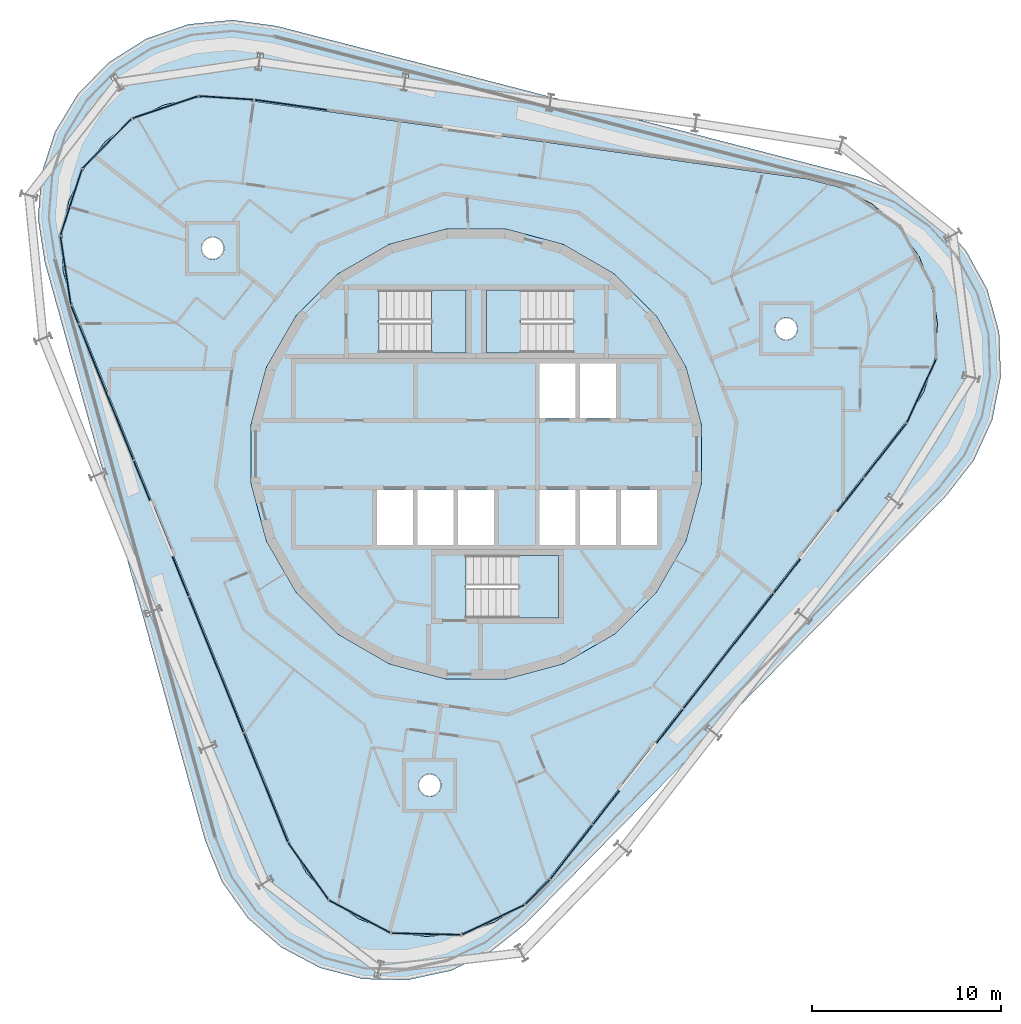
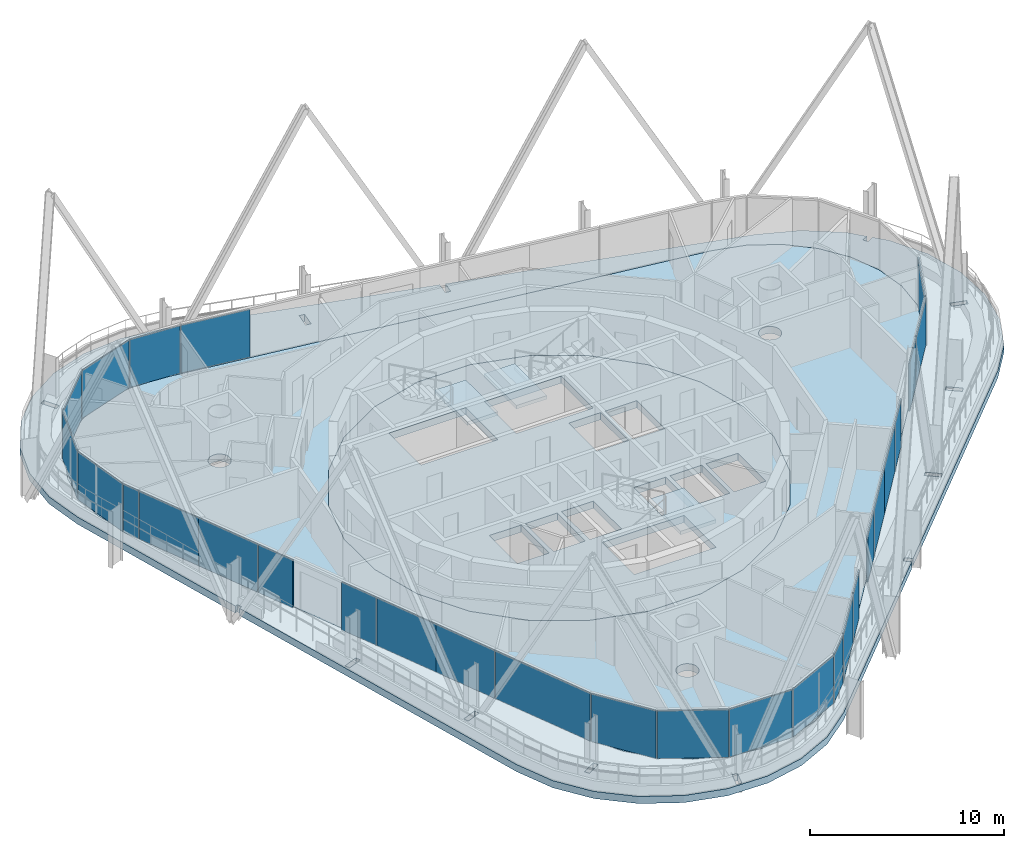
# One storey, part 8 of 17: 28 plates, 6 slabs, 9 elements without a shape of their own.
"""IFC4 building model written with IfcOpenShell, lengths in metres."""

from ifc_helpers import new_model, si_unit, direction, frame, origin, origin_2d, place, context, subcontext, project, spatial, polyline, rectangle, outline, extrude, material, layer, layer_set, type_object, element, aggregate, save


model = new_model("IFC4")

# Units and contexts
model_context = context("Model", 3, precision=1e-05, world=origin(), true_north=direction((0.0, 1.0)))
body_context = subcontext(model_context, "Body", "Model", "MODEL_VIEW")
ifc_project = project(units=[si_unit("LENGTHUNIT", "METRE"), si_unit("AREAUNIT", "SQUARE_METRE"), si_unit("VOLUMEUNIT", "CUBIC_METRE"), si_unit("PLANEANGLEUNIT", "RADIAN"), si_unit("MASSUNIT", "GRAM", prefix="KILO")], contexts=[model_context])

# Site, building, storey
site_placement = place(None, origin())
site = spatial("IfcSite", under=ifc_project, at=site_placement, CompositionType="ELEMENT")
building_placement = place(site_placement, origin())
building = spatial("IfcBuilding", under=site, at=building_placement, Name="Spindle Arch Residences", CompositionType="ELEMENT")
storey_placement = place(building_placement, frame((0.0, 0.0, 333.0)))
storey = spatial("IfcBuildingStorey", under=building, at=storey_placement, Name="L85", CompositionType="ELEMENT", Elevation=333.0)

# Slabs
ifc_material_1 = material(Name="Concrete C40/50", Category="concrete")
ifc_layer_1 = layer(ifc_material_1, 0.449951171875)
ifc_layer_set_1 = layer_set([ifc_layer_1], Name="Compartment floor slab 450")
slab_type_1 = type_object("IfcSlabType", Name="Compartment floor slab 450", PredefinedType="FLOOR", material=ifc_layer_set_1)
slab_1_placement = place(storey_placement, frame((0.0, 0.0, -0.449951171875)))
element("IfcSlab", 1, at=slab_1_placement, inside=storey, type_object=slab_type_1, Name="Floor slab L85", PredefinedType="FLOOR", context=body_context, shape_type="SweptSolid", body=[
    extrude(outline(polyline([(2.5380859375, -23.751220703125), (0.962890625, -24.735595703125), (-0.796875, -25.330078125), (-2.646240234375, -25.502685546875), (-4.485595703125, -25.244140625), (-6.2158203125, -24.568359375), (-7.74365234375, -23.511962890625), (-8.986572265625, -22.131591796875), (-9.877685546875, -20.501708984375), (-21.346923828125, 7.885986328125), (-21.838134765625, 9.677490234375), (-21.903076171875, 11.53369140625), (-21.5380859375, 13.35498046875), (-20.7626953125, 15.043212890625), (-19.619140625, 16.5068359375), (-18.1689453125, 17.667236328125), (-16.489990234375, 18.462158203125), (-14.673095703125, 18.848388671875), (-12.816162109375, 18.80517578125), (17.503173828125, 14.5439453125), (19.300048828125, 14.07373046875), (20.940185546875, 13.20166015625), (22.334716796875, 11.974853515625), (23.4091796875, 10.459716796875), (24.10498046875, 8.7373046875), (24.384765625, 6.901123046875), (24.233642578125, 5.0498046875), (23.65966796875, 3.283203125), (22.69384765625, 1.696533203125), (13.268798828125, -10.36669921875), (3.843994140625, -22.43017578125), (2.5380859375, -23.751220703125)]), holes=[polyline([(7.30517578125, -9.520263671875), (9.520263671875, -7.30517578125), (11.086669921875, -4.59228515625), (11.897216796875, -1.56640625), (11.897216796875, 1.56640625), (11.086669921875, 4.59228515625), (9.520263671875, 7.30517578125), (7.30517578125, 9.520263671875), (4.59228515625, 11.086669921875), (1.56640625, 11.897216796875), (-1.56640625, 11.897216796875), (-4.59228515625, 11.086669921875), (-7.30517578125, 9.520263671875), (-9.520263671875, 7.30517578125), (-11.086669921875, 4.59228515625), (-11.897216796875, 1.56640625), (-11.897216796875, -1.56640625), (-11.086669921875, -4.59228515625), (-9.520263671875, -7.30517578125), (-7.30517578125, -9.520263671875), (-4.59228515625, -11.086669921875), (-1.56640625, -11.897216796875), (1.56640625, -11.897216796875), (4.59228515625, -11.086669921875), (7.30517578125, -9.520263671875)]), polyline([(-1.961181640625, -17.838134765625), (-1.90576171875, -17.734375), (-1.87158203125, -17.621826171875), (-1.860107421875, -17.5048828125), (-1.87158203125, -17.3876953125), (-1.90576171875, -17.275146484375), (-1.961181640625, -17.17138671875), (-2.035888671875, -17.08056640625), (-2.126708984375, -17.005859375), (-2.23046875, -16.950439453125), (-2.343017578125, -16.916259765625), (-2.460205078125, -16.90478515625), (-2.5771484375, -16.916259765625), (-2.689697265625, -16.950439453125), (-2.79345703125, -17.005859375), (-2.884521484375, -17.08056640625), (-2.958984375, -17.17138671875), (-3.014404296875, -17.275146484375), (-3.048583984375, -17.3876953125), (-3.06005859375, -17.5048828125), (-3.048583984375, -17.621826171875), (-3.014404296875, -17.734375), (-2.958984375, -17.838134765625), (-2.884521484375, -17.92919921875), (-2.79345703125, -18.003662109375), (-2.689697265625, -18.05908203125), (-2.5771484375, -18.09326171875), (-2.460205078125, -18.104736328125), (-2.343017578125, -18.09326171875), (-2.23046875, -18.05908203125), (-2.126708984375, -18.003662109375), (-2.035888671875, -17.92919921875), (-1.961181640625, -17.838134765625)]), polyline([(-13.505126953125, 10.458740234375), (-13.4306640625, 10.5498046875), (-13.375244140625, 10.6533203125), (-13.341064453125, 10.765869140625), (-13.32958984375, 10.883056640625), (-13.341064453125, 11.0), (-13.375244140625, 11.112548828125), (-13.4306640625, 11.21630859375), (-13.505126953125, 11.307373046875), (-13.59619140625, 11.3818359375), (-13.699951171875, 11.437255859375), (-13.8125, 11.471435546875), (-13.929443359375, 11.48291015625), (-14.046630859375, 11.471435546875), (-14.1591796875, 11.437255859375), (-14.2626953125, 11.3818359375), (-14.353759765625, 11.307373046875), (-14.428466796875, 11.21630859375), (-14.48388671875, 11.112548828125), (-14.51806640625, 11.0), (-14.529541015625, 10.883056640625), (-14.51806640625, 10.765869140625), (-14.48388671875, 10.6533203125), (-14.428466796875, 10.5498046875), (-14.353759765625, 10.458740234375), (-14.2626953125, 10.384033203125), (-14.1591796875, 10.32861328125), (-14.046630859375, 10.29443359375), (-13.929443359375, 10.282958984375), (-13.8125, 10.29443359375), (-13.699951171875, 10.32861328125), (-13.59619140625, 10.384033203125), (-13.505126953125, 10.458740234375)]), polyline([(16.81396484375, 6.197509765625), (16.888671875, 6.28857421875), (16.944091796875, 6.392333984375), (16.978271484375, 6.5048828125), (16.98974609375, 6.621826171875), (16.978271484375, 6.739013671875), (16.944091796875, 6.8515625), (16.888671875, 6.955078125), (16.81396484375, 7.046142578125), (16.722900390625, 7.120849609375), (16.619384765625, 7.17626953125), (16.5068359375, 7.21044921875), (16.3896484375, 7.221923828125), (16.272705078125, 7.21044921875), (16.16015625, 7.17626953125), (16.056396484375, 7.120849609375), (15.96533203125, 7.046142578125), (15.890869140625, 6.955078125), (15.83544921875, 6.8515625), (15.80126953125, 6.739013671875), (15.789794921875, 6.621826171875), (15.80126953125, 6.5048828125), (15.83544921875, 6.392333984375), (15.890869140625, 6.28857421875), (15.96533203125, 6.197509765625), (16.056396484375, 6.123046875), (16.16015625, 6.067626953125), (16.272705078125, 6.033447265625), (16.3896484375, 6.02197265625), (16.5068359375, 6.033447265625), (16.619384765625, 6.067626953125), (16.722900390625, 6.123046875), (16.81396484375, 6.197509765625)])]), origin(), (0.0, 0.0, 1.0), 0.449951171875),
])
ifc_material_2 = material(Name="Concrete C50/60", Category="concrete")
ifc_layer_2 = layer(ifc_material_2, 0.449951171875)
ifc_layer_set_2 = layer_set([ifc_layer_2], Name="Core floor slab 450")
slab_type_2 = type_object("IfcSlabType", Name="Core floor slab 450", PredefinedType="FLOOR", material=ifc_layer_set_2)
slab_2_placement = place(storey_placement, frame((0.0, 0.0, -0.449951171875)))
element("IfcSlab", 2, at=slab_2_placement, inside=storey, type_object=slab_type_2, Name="Core floor L85", PredefinedType="FLOOR", context=body_context, shape_type="SweptSolid", body=[
    extrude(outline(polyline([(1.56640625, -11.897216796875), (4.59228515625, -11.086669921875), (7.30517578125, -9.520263671875), (9.520263671875, -7.30517578125), (11.086669921875, -4.59228515625), (11.897216796875, -1.56640625), (11.897216796875, 1.56640625), (11.086669921875, 4.59228515625), (9.520263671875, 7.30517578125), (7.30517578125, 9.520263671875), (4.59228515625, 11.086669921875), (1.56640625, 11.897216796875), (-1.56640625, 11.897216796875), (-4.59228515625, 11.086669921875), (-7.30517578125, 9.520263671875), (-9.520263671875, 7.30517578125), (-11.086669921875, 4.59228515625), (-11.897216796875, 1.56640625), (-11.897216796875, -1.56640625), (-11.086669921875, -4.59228515625), (-9.520263671875, -7.30517578125), (-7.30517578125, -9.520263671875), (-4.59228515625, -11.086669921875), (-1.56640625, -11.897216796875), (1.56640625, -11.897216796875)]), holes=[polyline([(3.35009765625, 1.89990234375), (5.25, 1.89990234375), (5.25, 4.800048828125), (3.35009765625, 4.800048828125), (3.35009765625, 1.89990234375)]), polyline([(5.5, 1.89990234375), (7.39990234375, 1.89990234375), (7.39990234375, 4.800048828125), (5.5, 4.800048828125), (5.5, 1.89990234375)]), polyline([(-5.25, -4.800048828125), (-3.35009765625, -4.800048828125), (-3.35009765625, -1.89990234375), (-5.25, -1.89990234375), (-5.25, -4.800048828125)]), polyline([(-3.10009765625, -4.800048828125), (-1.199951171875, -4.800048828125), (-1.199951171875, -1.89990234375), (-3.10009765625, -1.89990234375), (-3.10009765625, -4.800048828125)]), polyline([(-0.949951171875, -4.800048828125), (0.949951171875, -4.800048828125), (0.949951171875, -1.89990234375), (-0.949951171875, -1.89990234375), (-0.949951171875, -4.800048828125)]), polyline([(3.35009765625, -4.800048828125), (5.25, -4.800048828125), (5.25, -1.89990234375), (3.35009765625, -1.89990234375), (3.35009765625, -4.800048828125)]), polyline([(5.5, -4.800048828125), (7.39990234375, -4.800048828125), (7.39990234375, -1.89990234375), (5.5, -1.89990234375), (5.5, -4.800048828125)]), polyline([(7.64990234375, -4.800048828125), (9.550048828125, -4.800048828125), (9.550048828125, -1.89990234375), (7.64990234375, -1.89990234375), (7.64990234375, -4.800048828125)]), polyline([(5.1298828125, 8.669921875), (0.550048828125, 8.669921875), (0.550048828125, 5.35009765625), (5.1298828125, 5.35009765625), (5.1298828125, 8.669921875)]), polyline([(-5.1298828125, 5.35009765625), (-0.550048828125, 5.35009765625), (-0.550048828125, 8.669921875), (-5.1298828125, 8.669921875), (-5.1298828125, 5.35009765625)]), polyline([(-0.530029296875, -8.669921875), (4.35009765625, -8.669921875), (4.35009765625, -5.35009765625), (-0.530029296875, -5.35009765625), (-0.530029296875, -8.669921875)])]), origin(), (0.0, 0.0, 1.0), 0.449951171875),
])

# Stair, slab
ifc_material_3 = material(Name="Concrete C50/60", Category="concrete")
stair_type = type_object("IfcStairType", Name="Exit stair 16 risers", PredefinedType="HALF_TURN_STAIR", material=ifc_material_3)
stair_1_placement = place(storey_placement, origin())
stair_1 = element("IfcStair", 3, at=stair_1_placement, inside=storey, type_object=stair_type, Name="L85 Exit stair ST1", PredefinedType="HALF_TURN_STAIR")
ifc_material_4 = material(Name="Concrete C50/60", Category="concrete")
ifc_layer_3 = layer(ifc_material_4, 0.219970703125)
ifc_layer_set_3 = layer_set([ifc_layer_3], Name="Exit stair landing 220")
slab_type_3 = type_object("IfcSlabType", Name="Exit stair landing 220", PredefinedType="LANDING", material=ifc_layer_set_3)
slab_3_placement = place(storey_placement, frame((0.0, 0.0, 1.530029296875)))
slab_3 = element("IfcSlab", 4, at=slab_3_placement, type_object=slab_type_3, Name="ST1 landing 1", PredefinedType="LANDING", context=body_context, shape_type="SweptSolid", body=[
    extrude(outline(polyline([(2.3701171875, 8.669921875), (0.550048828125, 8.669921875), (0.550048828125, 5.35009765625), (2.3701171875, 5.35009765625), (2.3701171875, 8.669921875)])), origin(), (0.0, 0.0, 1.0), 0.219970703125),
])
aggregate(stair_1, [slab_3])

stair_2_placement = place(storey_placement, origin())
stair_2 = element("IfcStair", 5, at=stair_2_placement, inside=storey, type_object=stair_type, Name="L85 Exit stair ST2", PredefinedType="HALF_TURN_STAIR")
slab_4_placement = place(storey_placement, frame((0.0, 0.0, 1.530029296875)))
slab_4 = element("IfcSlab", 6, at=slab_4_placement, type_object=slab_type_3, Name="ST2 landing 1", PredefinedType="LANDING", context=body_context, shape_type="SweptSolid", body=[
    extrude(outline(polyline([(-2.3701171875, 5.35009765625), (-0.550048828125, 5.35009765625), (-0.550048828125, 8.669921875), (-2.3701171875, 8.669921875), (-2.3701171875, 5.35009765625)])), origin(), (0.0, 0.0, 1.0), 0.219970703125),
])
aggregate(stair_2, [slab_4])

stair_3_placement = place(storey_placement, origin())
stair_3 = element("IfcStair", 7, at=stair_3_placement, inside=storey, type_object=stair_type, Name="L85 Exit stair ST3", PredefinedType="HALF_TURN_STAIR")
slab_5_placement = place(storey_placement, frame((0.0, 0.0, 1.530029296875)))
slab_5 = element("IfcSlab", 8, at=slab_5_placement, type_object=slab_type_3, Name="ST3 landing 1", PredefinedType="LANDING", context=body_context, shape_type="SweptSolid", body=[
    extrude(outline(polyline([(2.22998046875, -8.669921875), (4.35009765625, -8.669921875), (4.35009765625, -5.35009765625), (2.22998046875, -5.35009765625), (2.22998046875, -8.669921875)])), origin(), (0.0, 0.0, 1.0), 0.219970703125),
])
aggregate(stair_3, [slab_5])

# Slab
ifc_material_5 = material(Name="Concrete C40/50", Category="concrete")
ifc_layer_4 = layer(ifc_material_5, 0.449951171875)
ifc_layer_set_4 = layer_set([ifc_layer_4], Name="Terrace slab 450")
slab_type_4 = type_object("IfcSlabType", Name="Terrace slab 450", PredefinedType="FLOOR", material=ifc_layer_set_4)
slab_6_placement = place(storey_placement, frame((0.0, 0.0, -0.449951171875)))
element("IfcSlab", 9, at=slab_6_placement, inside=storey, type_object=slab_type_4, Name="Terrace slab L84", PredefinedType="FLOOR", context=body_context, shape_type="SweptSolid", body=[
    extrude(outline(polyline([(0.787841796875, -26.295166015625), (-1.328857421875, -27.3046875), (-3.62109375, -27.798828125), (-5.9658203125, -27.751220703125), (-8.236083984375, -27.1640625), (-10.31005859375, -26.069091796875), (-12.0751953125, -24.525390625), (-13.43701171875, -22.6162109375), (-14.322021484375, -20.444580078125), (-19.677490234375, -1.132568359375), (-19.51025390625, -1.06494140625), (-19.62255859375, -0.78662109375), (-19.75830078125, -0.841552734375), (-22.805908203125, 10.14794921875), (-23.166015625, 12.46533203125), (-22.982177734375, 14.802978515625), (-22.263916015625, 17.035400390625), (-21.05029296875, 19.0419921875), (-19.406494140625, 20.71484375), (-17.42138671875, 21.96337890625), (-15.201904296875, 22.72021484375), (-12.86767578125, 22.945068359375), (-10.54443359375, 22.62548828125), (3.8134765625, 18.912109375), (3.706298828125, 18.1494140625), (4.00341796875, 18.107421875), (4.105712890625, 18.836669921875), (20.19140625, 14.676513671875), (22.37841796875, 13.829833984375), (24.31103515625, 12.50146484375), (25.06396484375, 11.670166015625), (24.72802734375, 11.481201171875), (24.875, 11.2197265625), (25.2705078125, 11.442138671875), (25.88525390625, 10.763427734375), (27.01611328125, 8.708984375), (27.642822265625, 6.44921875), (27.7314453125, 4.105712890625), (27.27734375, 1.80517578125), (26.3046875, -0.328857421875), (24.866455078125, -2.180908203125), (13.740478515625, -13.502685546875), (12.645751953125, -14.61669921875), (12.27099609375, -14.32421875), (12.086181640625, -14.560546875), (12.43408203125, -14.832275390625), (2.614501953125, -24.82470703125), (0.787841796875, -26.295166015625)]), holes=[polyline([(23.65966796875, 3.283203125), (24.233642578125, 5.0498046875), (24.384765625, 6.901123046875), (24.10498046875, 8.7373046875), (23.4091796875, 10.459716796875), (22.334716796875, 11.974853515625), (20.940185546875, 13.20166015625), (19.300048828125, 14.07373046875), (17.503173828125, 14.5439453125), (-12.816162109375, 18.80517578125), (-14.673095703125, 18.848388671875), (-16.489990234375, 18.462158203125), (-18.1689453125, 17.667236328125), (-19.619140625, 16.5068359375), (-20.7626953125, 15.043212890625), (-21.5380859375, 13.35498046875), (-21.903076171875, 11.53369140625), (-21.838134765625, 9.677490234375), (-21.346923828125, 7.885986328125), (-9.877685546875, -20.501708984375), (-8.986572265625, -22.131591796875), (-7.74365234375, -23.511962890625), (-6.2158203125, -24.568359375), (-4.485595703125, -25.244140625), (-2.646240234375, -25.502685546875), (-0.796875, -25.330078125), (0.962890625, -24.735595703125), (2.5380859375, -23.751220703125), (3.843994140625, -22.43017578125), (13.268798828125, -10.36669921875), (22.69384765625, 1.696533203125), (23.65966796875, 3.283203125)]), polyline([(-5.39599609375, -27.63916015625), (-5.106689453125, -27.718505859375), (-4.86865234375, -26.8505859375), (-5.157958984375, -26.771240234375), (-5.39599609375, -27.63916015625)]), polyline([(-11.616943359375, -22.746826171875), (-11.464111328125, -23.005126953125), (-10.689453125, -22.546875), (-10.84228515625, -22.288818359375), (-11.616943359375, -22.746826171875)]), polyline([(-14.638916015625, -15.524169921875), (-14.526611328125, -15.80224609375), (-13.692138671875, -15.465087890625), (-13.804443359375, -15.18701171875), (-14.638916015625, -15.524169921875)]), polyline([(-16.713623046875, -7.98681640625), (-17.548095703125, -8.323974609375), (-17.435546875, -8.602294921875), (-16.601318359375, -8.264892578125), (-16.713623046875, -7.98681640625)]), polyline([(-19.0703125, 20.096923828125), (-19.330322265625, 19.947021484375), (-18.880615234375, 19.167236328125), (-18.62060546875, 19.317138671875), (-19.0703125, 20.096923828125)]), polyline([(-3.686767578125, 19.188232421875), (-3.561279296875, 20.079345703125), (-3.8583984375, 20.12109375), (-3.98388671875, 19.22998046875), (-3.686767578125, 19.188232421875)]), polyline([(-11.376708984375, 20.26904296875), (-11.25146484375, 21.16015625), (-11.548583984375, 21.201904296875), (-11.673828125, 20.310791015625), (-11.376708984375, 20.26904296875)]), polyline([(16.8671875, -8.441162109375), (17.576416015625, -8.9951171875), (17.76123046875, -8.7587890625), (17.052001953125, -8.204833984375), (16.8671875, -8.441162109375)]), polyline([(21.648193359375, -2.32177734375), (22.357421875, -2.875732421875), (22.5419921875, -2.639404296875), (21.832763671875, -2.08544921875), (21.648193359375, -2.32177734375)]), polyline([(26.555908203125, 3.797607421875), (26.6318359375, 4.087890625), (25.761474609375, 4.31640625), (25.685302734375, 4.0263671875), (26.555908203125, 3.797607421875)])]), origin(), (0.0, 0.0, 1.0), 0.449951171875),
])

# Curtain wall, plates
ifc_material_6 = material(Name="Aluminium bronze unitised frame with tinted glass", Category="aluminium")
ifc_layer_5 = layer(ifc_material_6, 0.159912109375)
ifc_layer_set_5 = layer_set([ifc_layer_5], Name="CW-D corner wall on the fillet arcs")
curtain_wall_type_1 = type_object("IfcCurtainWallType", Name="CW-D corner wall on the fillet arcs", PredefinedType="NOTDEFINED", material=ifc_layer_set_5)
curtain_wall_1_placement = place(storey_placement, origin())
curtain_wall_1 = element("IfcCurtainWall", 10, at=curtain_wall_1_placement, inside=storey, type_object=curtain_wall_type_1, Name="CW-D L85 run 1", PredefinedType="NOTDEFINED")
ifc_material_7 = material(Name="Tinted double glazing over aluminium faced non-combustible spandrel zone (K0)", Category="aluminium")
ifc_layer_6 = layer(ifc_material_7, 0.06005859375)
ifc_layer_set_6 = layer_set([ifc_layer_6], Name="Unitised glass panel with E 60 spandrel zone")
plate_type = type_object("IfcPlateType", Name="Unitised glass panel with E 60 spandrel zone", PredefinedType="CURTAIN_PANEL", material=ifc_layer_set_6)
plate_1_placement = place(storey_placement, frame((21.630126953125, 0.205078125, -0.4501953125), z_axis=(0.0, 0.0, 1.0), x_axis=(0.615661475326, 0.788010753607, 0.0)))
plate_1 = element("IfcPlate", 11, at=plate_1_placement, type_object=plate_type, Name="CW-D unit 00", PredefinedType="CURTAIN_PANEL", context=body_context, shape_type="SweptSolid", body=[
    extrude(rectangle(XDim=3.60009765625, YDim=0.06005859375, at=origin_2d()), origin(), (0.0, 0.0, 1.0), 3.449951171875),
])
plate_2_placement = place(storey_placement, frame((23.534423828125, 3.340576171875, -0.4501953125), z_axis=(0.0, 0.0, 1.0), x_axis=(0.417338452362, 0.908751129947, 0.0)))
plate_2 = element("IfcPlate", 12, at=plate_2_placement, type_object=plate_type, Name="CW-D unit 01", PredefinedType="CURTAIN_PANEL", context=body_context, shape_type="SweptSolid", body=[
    extrude(rectangle(XDim=3.666748046875, YDim=0.06005859375, at=origin_2d()), origin(), (0.0, 0.0, 1.0), 3.449951171875),
])
aggregate(curtain_wall_1, [plate_1, plate_2])

# Curtain wall, plate
ifc_material_8 = material(Name="Aluminium bronze unitised frame with tinted glass", Category="aluminium")
ifc_layer_7 = layer(ifc_material_8, 0.159912109375)
ifc_layer_set_7 = layer_set([ifc_layer_7], Name="CW-C typical residential unitised wall")
curtain_wall_type_2 = type_object("IfcCurtainWallType", Name="CW-C typical residential unitised wall", PredefinedType="NOTDEFINED", material=ifc_layer_set_7)
curtain_wall_2_placement = place(storey_placement, origin())
curtain_wall_2 = element("IfcCurtainWall", 13, at=curtain_wall_2_placement, inside=storey, type_object=curtain_wall_type_2, Name="CW-C L85 run 2", PredefinedType="NOTDEFINED")
plate_3_placement = place(storey_placement, frame((-9.806396484375, 18.462890625, -0.4501953125), z_axis=(0.0, 0.0, 1.0), x_axis=(-0.990268068742, 0.13917310096, 0.0)))
plate_3 = element("IfcPlate", 14, at=plate_3_placement, type_object=plate_type, Name="CW-C unit 07B", PredefinedType="CURTAIN_PANEL", context=body_context, shape_type="SweptSolid", body=[
    extrude(rectangle(XDim=3.852783203125, YDim=0.06005859375, at=origin_2d()), origin(), (0.0, 0.0, 1.0), 3.449951171875),
])
aggregate(curtain_wall_2, [plate_3])

# Curtain wall, plates
curtain_wall_3_placement = place(storey_placement, origin())
curtain_wall_3 = element("IfcCurtainWall", 15, at=curtain_wall_3_placement, inside=storey, type_object=curtain_wall_type_1, Name="CW-D L85 run 3", PredefinedType="NOTDEFINED")
plate_4_placement = place(storey_placement, frame((-13.212158203125, 18.83154296875, -0.4501953125), z_axis=(0.0, 0.0, 1.0), x_axis=(-0.99785193122, 0.065509719587, 0.0)))
plate_4 = element("IfcPlate", 16, at=plate_4_placement, type_object=plate_type, Name="CW-D unit 00", PredefinedType="CURTAIN_PANEL", context=body_context, shape_type="SweptSolid", body=[
    extrude(rectangle(XDim=2.883056640625, YDim=0.06005859375, at=origin_2d()), origin(), (0.0, 0.0, 1.0), 3.449951171875),
])
plate_5_placement = place(storey_placement, frame((-16.446044921875, 18.33154296875, -0.4501953125), z_axis=(0.0, 0.0, 1.0), x_axis=(-0.947396640541, -0.320061877599, 0.0)))
plate_5 = element("IfcPlate", 17, at=plate_5_placement, type_object=plate_type, Name="CW-D unit 01", PredefinedType="CURTAIN_PANEL", context=body_context, shape_type="SweptSolid", body=[
    extrude(rectangle(XDim=3.666748046875, YDim=0.06005859375, at=origin_2d()), origin(), (0.0, 0.0, 1.0), 3.449951171875),
])
plate_6_placement = place(storey_placement, frame((-19.521240234375, 16.409912109375, -0.4501953125), z_axis=(0.0, 0.0, 1.0), x_axis=(-0.702981055369, -0.711208574043, 0.0)))
plate_6 = element("IfcPlate", 18, at=plate_6_placement, type_object=plate_type, Name="CW-D unit 02", PredefinedType="CURTAIN_PANEL", context=body_context, shape_type="SweptSolid", body=[
    extrude(rectangle(XDim=3.666748046875, YDim=0.06005859375, at=origin_2d()), origin(), (0.0, 0.0, 1.0), 3.449951171875),
])
plate_7_placement = place(storey_placement, frame((-21.406982421875, 13.3125, -0.4501953125), z_axis=(0.0, 0.0, 1.0), x_axis=(-0.309016990673, -0.951056517498, 0.0)))
plate_7 = element("IfcPlate", 19, at=plate_7_placement, type_object=plate_type, Name="CW-D unit 03", PredefinedType="CURTAIN_PANEL", context=body_context, shape_type="SweptSolid", body=[
    extrude(rectangle(XDim=3.666748046875, YDim=0.06005859375, at=origin_2d()), origin(), (0.0, 0.0, 1.0), 3.449951171875),
])
plate_8_placement = place(storey_placement, frame((-21.701904296875, 9.6982421875, -0.4501953125), z_axis=(0.0, 0.0, 1.0), x_axis=(0.150685718984, -0.988581718471, 0.0)))
plate_8 = element("IfcPlate", 20, at=plate_8_placement, type_object=plate_type, Name="CW-D unit 04", PredefinedType="CURTAIN_PANEL", context=body_context, shape_type="SweptSolid", body=[
    extrude(rectangle(XDim=3.666748046875, YDim=0.06005859375, at=origin_2d()), origin(), (0.0, 0.0, 1.0), 3.449951171875),
])
plate_9_placement = place(storey_placement, frame((-21.220458984375, 7.359375, -0.4501953125), z_axis=(0.0, 0.0, 1.0), x_axis=(0.374606593416, -0.927183854567, 0.0)))
plate_9 = element("IfcPlate", 21, at=plate_9_placement, type_object=plate_type, Name="CW-D unit 05", PredefinedType="CURTAIN_PANEL", context=body_context, shape_type="SweptSolid", body=[
    extrude(rectangle(XDim=1.01171875, YDim=0.06005859375, at=origin_2d()), origin(), (0.0, 0.0, 1.0), 3.449951171875),
])
aggregate(curtain_wall_3, [plate_4, plate_5, plate_6, plate_7, plate_8, plate_9])

curtain_wall_4_placement = place(storey_placement, origin())
curtain_wall_4 = element("IfcCurtainWall", 22, at=curtain_wall_4_placement, inside=storey, type_object=curtain_wall_type_2, Name="CW-C L85 run 4", PredefinedType="NOTDEFINED")
plate_10_placement = place(storey_placement, frame((-20.286865234375, 5.048583984375, -0.4501953125), z_axis=(0.0, 0.0, 1.0), x_axis=(0.374606593416, -0.927183854567, 0.0)))
plate_10 = element("IfcPlate", 23, at=plate_10_placement, type_object=plate_type, Name="CW-C unit 11A", PredefinedType="CURTAIN_PANEL", context=body_context, shape_type="SweptSolid", body=[
    extrude(rectangle(XDim=3.852783203125, YDim=0.06005859375, at=origin_2d()), origin(), (0.0, 0.0, 1.0), 3.449951171875),
])
plate_11_placement = place(storey_placement, frame((-18.843505859375, 1.476318359375, -0.4501953125), z_axis=(0.0, 0.0, 1.0), x_axis=(0.374606593416, -0.927183854567, 0.0)))
plate_11 = element("IfcPlate", 24, at=plate_11_placement, type_object=plate_type, Name="CW-C unit 11B", PredefinedType="CURTAIN_PANEL", context=body_context, shape_type="SweptSolid", body=[
    extrude(rectangle(XDim=3.852783203125, YDim=0.06005859375, at=origin_2d()), origin(), (0.0, 0.0, 1.0), 3.449951171875),
])
plate_12_placement = place(storey_placement, frame((-17.677490234375, -1.409912109375, -0.4501953125), z_axis=(0.0, 0.0, 1.0), x_axis=(0.374606593416, -0.927183854567, 0.0)))
plate_12 = element("IfcPlate", 25, at=plate_12_placement, type_object=plate_type, Name="CW-C unit 12L", PredefinedType="CURTAIN_PANEL", context=body_context, shape_type="SweptSolid", body=[
    extrude(rectangle(XDim=2.252685546875, YDim=0.06005859375, at=origin_2d()), origin(), (0.0, 0.0, 1.0), 3.449951171875),
])
plate_13_placement = place(storey_placement, frame((-15.634765625, -6.465576171875, -0.4501953125), z_axis=(0.0, 0.0, 1.0), x_axis=(0.374606593416, -0.927183854567, 0.0)))
plate_13 = element("IfcPlate", 26, at=plate_13_placement, type_object=plate_type, Name="CW-C unit 12R", PredefinedType="CURTAIN_PANEL", context=body_context, shape_type="SweptSolid", body=[
    extrude(rectangle(XDim=2.252685546875, YDim=0.06005859375, at=origin_2d()), origin(), (0.0, 0.0, 1.0), 3.449951171875),
])
plate_14_placement = place(storey_placement, frame((-14.46875, -9.351806640625, -0.4501953125), z_axis=(0.0, 0.0, 1.0), x_axis=(0.374606593416, -0.927183854567, 0.0)))
plate_14 = element("IfcPlate", 27, at=plate_14_placement, type_object=plate_type, Name="CW-C unit 13A", PredefinedType="CURTAIN_PANEL", context=body_context, shape_type="SweptSolid", body=[
    extrude(rectangle(XDim=3.852783203125, YDim=0.06005859375, at=origin_2d()), origin(), (0.0, 0.0, 1.0), 3.449951171875),
])
plate_15_placement = place(storey_placement, frame((-13.025390625, -12.924072265625, -0.4501953125), z_axis=(0.0, 0.0, 1.0), x_axis=(0.374606593416, -0.927183854567, 0.0)))
plate_15 = element("IfcPlate", 28, at=plate_15_placement, type_object=plate_type, Name="CW-C unit 13B", PredefinedType="CURTAIN_PANEL", context=body_context, shape_type="SweptSolid", body=[
    extrude(rectangle(XDim=3.852783203125, YDim=0.06005859375, at=origin_2d()), origin(), (0.0, 0.0, 1.0), 3.449951171875),
])
aggregate(curtain_wall_4, [plate_10, plate_11, plate_12, plate_13, plate_14, plate_15])

curtain_wall_5_placement = place(storey_placement, origin())
curtain_wall_5 = element("IfcCurtainWall", 29, at=curtain_wall_5_placement, inside=storey, type_object=curtain_wall_type_1, Name="CW-D L85 run 5", PredefinedType="NOTDEFINED")
plate_16_placement = place(storey_placement, frame((-11.122314453125, -17.634765625, -0.4501953125), z_axis=(0.0, 0.0, 1.0), x_axis=(0.374606593416, -0.927183854567, 0.0)))
plate_16 = element("IfcPlate", 30, at=plate_16_placement, type_object=plate_type, Name="CW-D unit 00", PredefinedType="CURTAIN_PANEL", context=body_context, shape_type="SweptSolid", body=[
    extrude(rectangle(XDim=6.188720703125, YDim=0.06005859375, at=origin_2d()), origin(), (0.0, 0.0, 1.0), 3.449951171875),
])
plate_17_placement = place(storey_placement, frame((-8.8740234375, -22.0517578125, -0.4501953125), z_axis=(0.0, 0.0, 1.0), x_axis=(0.578332338584, -0.815801266332, 0.0)))
plate_17 = element("IfcPlate", 31, at=plate_17_placement, type_object=plate_type, Name="CW-D unit 01", PredefinedType="CURTAIN_PANEL", context=body_context, shape_type="SweptSolid", body=[
    extrude(rectangle(XDim=3.666748046875, YDim=0.06005859375, at=origin_2d()), origin(), (0.0, 0.0, 1.0), 3.449951171875),
])
plate_18_placement = place(storey_placement, frame((-6.151123046875, -24.44677734375, -0.4501953125), z_axis=(0.0, 0.0, 1.0), x_axis=(0.882947592408, -0.469471563633, 0.0)))
plate_18 = element("IfcPlate", 32, at=plate_18_placement, type_object=plate_type, Name="CW-D unit 02", PredefinedType="CURTAIN_PANEL", context=body_context, shape_type="SweptSolid", body=[
    extrude(rectangle(XDim=3.666748046875, YDim=0.06005859375, at=origin_2d()), origin(), (0.0, 0.0, 1.0), 3.449951171875),
])
plate_19_placement = place(storey_placement, frame((-2.64306640625, -25.364990234375, -0.4501953125), z_axis=(0.0, 0.0, 1.0), x_axis=(0.999729241109, -0.023268959422, 0.0)))
plate_19 = element("IfcPlate", 33, at=plate_19_placement, type_object=plate_type, Name="CW-D unit 03", PredefinedType="CURTAIN_PANEL", context=body_context, shape_type="SweptSolid", body=[
    extrude(rectangle(XDim=3.666748046875, YDim=0.06005859375, at=origin_2d()), origin(), (0.0, 0.0, 1.0), 3.449951171875),
])
plate_20_placement = place(storey_placement, frame((0.904052734375, -24.61083984375, -0.4501953125), z_axis=(0.0, 0.0, 1.0), x_axis=(0.903833768547, 0.427883767902, 0.0)))
plate_20 = element("IfcPlate", 34, at=plate_20_placement, type_object=plate_type, Name="CW-D unit 04", PredefinedType="CURTAIN_PANEL", context=body_context, shape_type="SweptSolid", body=[
    extrude(rectangle(XDim=3.666748046875, YDim=0.06005859375, at=origin_2d()), origin(), (0.0, 0.0, 1.0), 3.449951171875),
])
plate_21_placement = place(storey_placement, frame((3.24755859375, -23.146484375, -0.4501953125), z_axis=(0.0, 0.0, 1.0), x_axis=(0.702981053644, 0.711208575748, 0.0)))
plate_21 = element("IfcPlate", 35, at=plate_21_placement, type_object=plate_type, Name="CW-D unit 05", PredefinedType="CURTAIN_PANEL", context=body_context, shape_type="SweptSolid", body=[
    extrude(rectangle(XDim=1.816162109375, YDim=0.06005859375, at=origin_2d()), origin(), (0.0, 0.0, 1.0), 3.449951171875),
])
plate_22_placement = place(storey_placement, frame((5.03369140625, -21.037109375, -0.4501953125), z_axis=(0.0, 0.0, 1.0), x_axis=(0.615661475326, 0.788010753607, 0.0)))
plate_22 = element("IfcPlate", 36, at=plate_22_placement, type_object=plate_type, Name="CW-D unit 06", PredefinedType="CURTAIN_PANEL", context=body_context, shape_type="SweptSolid", body=[
    extrude(rectangle(XDim=3.60009765625, YDim=0.06005859375, at=origin_2d()), origin(), (0.0, 0.0, 1.0), 3.449951171875),
])
aggregate(curtain_wall_5, [plate_16, plate_17, plate_18, plate_19, plate_20, plate_21, plate_22])

curtain_wall_6_placement = place(storey_placement, origin())
curtain_wall_6 = element("IfcCurtainWall", 37, at=curtain_wall_6_placement, inside=storey, type_object=curtain_wall_type_2, Name="CW-C L85 run 6", PredefinedType="NOTDEFINED")
plate_23_placement = place(storey_placement, frame((6.872314453125, -18.683837890625, -0.4501953125), z_axis=(0.0, 0.0, 1.0), x_axis=(0.615661475326, 0.788010753607, 0.0)))
plate_23 = element("IfcPlate", 38, at=plate_23_placement, type_object=plate_type, Name="CW-C unit 18L", PredefinedType="CURTAIN_PANEL", context=body_context, shape_type="SweptSolid", body=[
    extrude(rectangle(XDim=2.252685546875, YDim=0.06005859375, at=origin_2d()), origin(), (0.0, 0.0, 1.0), 3.449951171875),
])
plate_24_placement = place(storey_placement, frame((10.2294921875, -14.386962890625, -0.4501953125), z_axis=(0.0, 0.0, 1.0), x_axis=(0.615661475326, 0.788010753607, 0.0)))
plate_24 = element("IfcPlate", 39, at=plate_24_placement, type_object=plate_type, Name="CW-C unit 18R", PredefinedType="CURTAIN_PANEL", context=body_context, shape_type="SweptSolid", body=[
    extrude(rectangle(XDim=2.252685546875, YDim=0.06005859375, at=origin_2d()), origin(), (0.0, 0.0, 1.0), 3.449951171875),
])
plate_25_placement = place(storey_placement, frame((12.14599609375, -11.93408203125, -0.4501953125), z_axis=(0.0, 0.0, 1.0), x_axis=(0.615661475326, 0.788010753607, 0.0)))
plate_25 = element("IfcPlate", 40, at=plate_25_placement, type_object=plate_type, Name="CW-C unit 19A", PredefinedType="CURTAIN_PANEL", context=body_context, shape_type="SweptSolid", body=[
    extrude(rectangle(XDim=3.852783203125, YDim=0.06005859375, at=origin_2d()), origin(), (0.0, 0.0, 1.0), 3.449951171875),
])
plate_26_placement = place(storey_placement, frame((14.517822265625, -8.89794921875, -0.4501953125), z_axis=(0.0, 0.0, 1.0), x_axis=(0.615661475326, 0.788010753607, 0.0)))
plate_26 = element("IfcPlate", 41, at=plate_26_placement, type_object=plate_type, Name="CW-C unit 19B", PredefinedType="CURTAIN_PANEL", context=body_context, shape_type="SweptSolid", body=[
    extrude(rectangle(XDim=3.852783203125, YDim=0.06005859375, at=origin_2d()), origin(), (0.0, 0.0, 1.0), 3.449951171875),
])
plate_27_placement = place(storey_placement, frame((16.434326171875, -6.445068359375, -0.4501953125), z_axis=(0.0, 0.0, 1.0), x_axis=(0.615661475326, 0.788010753607, 0.0)))
plate_27 = element("IfcPlate", 42, at=plate_27_placement, type_object=plate_type, Name="CW-C unit 00L", PredefinedType="CURTAIN_PANEL", context=body_context, shape_type="SweptSolid", body=[
    extrude(rectangle(XDim=2.252685546875, YDim=0.06005859375, at=origin_2d()), origin(), (0.0, 0.0, 1.0), 3.449951171875),
])
plate_28_placement = place(storey_placement, frame((19.79150390625, -2.148193359375, -0.4501953125), z_axis=(0.0, 0.0, 1.0), x_axis=(0.615661475326, 0.788010753607, 0.0)))
plate_28 = element("IfcPlate", 43, at=plate_28_placement, type_object=plate_type, Name="CW-C unit 00R", PredefinedType="CURTAIN_PANEL", context=body_context, shape_type="SweptSolid", body=[
    extrude(rectangle(XDim=2.252685546875, YDim=0.06005859375, at=origin_2d()), origin(), (0.0, 0.0, 1.0), 3.449951171875),
])
aggregate(curtain_wall_6, [plate_23, plate_24, plate_25, plate_26, plate_27, plate_28])

save(model, "model.ifc")
